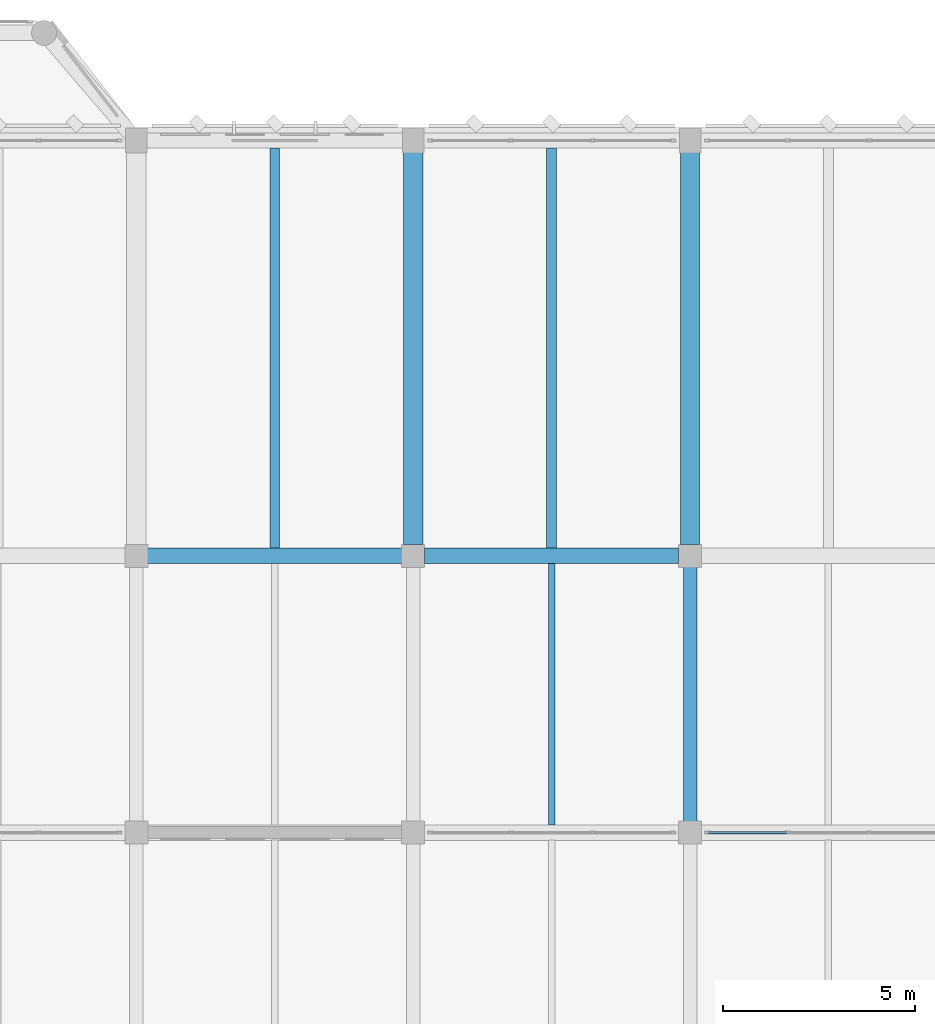
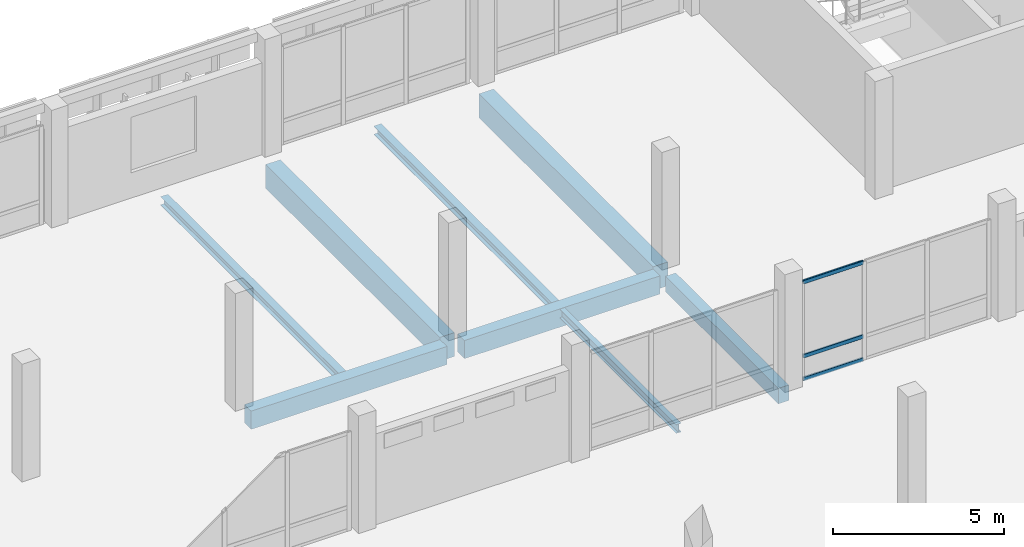
# One storey, part 111 of 158: 8 beams, 3 members, 1 element without a shape of its own.
"""IFC4 building model written with IfcOpenShell, lengths in metres."""

from ifc_helpers import new_model, si_unit, direction, frame, origin, origin_2d, place, context, subcontext, project, spatial, rectangle, hollow_rectangle, i_section, extrude, material, material_profile, profile_set, type_object, element, aggregate, save


model = new_model("IFC4")

# Units and contexts
model_context = context("Model", 3, precision=1e-05, world=origin(), true_north=direction((0.0, 1.0)))
body_context = subcontext(model_context, "Body", "Model", "MODEL_VIEW")
ifc_project = project(units=[si_unit("LENGTHUNIT", "METRE"), si_unit("AREAUNIT", "SQUARE_METRE"), si_unit("VOLUMEUNIT", "CUBIC_METRE"), si_unit("PLANEANGLEUNIT", "RADIAN"), si_unit("MASSUNIT", "GRAM", prefix="KILO")], contexts=[model_context])

# Site, building, storey
site_placement = place(None, origin())
site = spatial("IfcSite", under=ifc_project, at=site_placement, CompositionType="ELEMENT")
building_placement = place(site_placement, origin())
building = spatial("IfcBuilding", under=site, at=building_placement, Name="Lusvemor Sports Hall", CompositionType="ELEMENT")
storey_placement = place(building_placement, frame((0.0, 0.0, 10.800048828125)))
storey = spatial("IfcBuildingStorey", under=building, at=storey_placement, Name="L02", CompositionType="ELEMENT", Elevation=10.800048828125)

# Beams
ifc_material_1 = material(Name="Concrete C40/50", Category="concrete")
ifc_material_profile_1 = material_profile(ifc_material_1, rectangle(XDim=0.35009765625, YDim=0.550048828125, at=origin_2d()), Name="RC350x550")
ifc_profile_set_1 = profile_set([ifc_material_profile_1], Name="Concrete C40/50")
beam_type_1 = type_object("IfcBeamType", Name="BEAM_RC_550", PredefinedType="BEAM", material=ifc_profile_set_1)
beam_1_placement = place(storey_placement, frame((154.800048828125, 97.49609375, -0.53515625), z_axis=(0.0, 1.0, 0.0), x_axis=(-1.0, 0.0, 0.0)))
element("IfcBeam", 1, at=beam_1_placement, inside=storey, type_object=beam_type_1, Name="Beam L02 18:N-P", PredefinedType="BEAM", context=body_context, shape_type="SweptSolid", body=[
    extrude(rectangle(XDim=0.35009765625, YDim=0.550048828125, at=origin_2d()), origin(), (0.0, 0.0, 1.0), 6.60791015625),
])
ifc_material_2 = material(Name="Concrete C40/50", Category="concrete")
ifc_material_profile_2 = material_profile(ifc_material_2, rectangle(XDim=0.39990234375, YDim=0.64990234375, at=origin_2d()), Name="RC400x650")
ifc_profile_set_2 = profile_set([ifc_material_profile_2], Name="Concrete C40/50")
beam_type_2 = type_object("IfcBeamType", Name="BEAM_RC_650", PredefinedType="BEAM", material=ifc_profile_set_2)
for number, where, z_axis, x_axis, name in (
    (2, (140.696044921875, 104.39990234375, -0.5849609375), (1.0, 0.0, 0.0), (0.0, 1.0, 0.0), "Beam L02 P:16-17"),
    (3, (147.89599609375, 104.39990234375, -0.5849609375), (1.0, 0.0, 0.0), (0.0, 1.0, 0.0), "Beam L02 P:17-18"),
):
    element("IfcBeam", number, at=place(storey_placement, frame(where, z_axis=z_axis, x_axis=x_axis)), inside=storey, type_object=beam_type_2, Name=name, PredefinedType="BEAM", context=body_context, shape_type="SweptSolid", body=[
        extrude(rectangle(XDim=0.39990234375, YDim=0.64990234375, at=origin_2d()), origin(), (0.0, 0.0, 1.0), 6.60791015625),
    ])

# Curtain wall, members
ifc_material_3 = material(Name="Thermally broken bronze-anodized aluminium", Category="aluminium")
curtain_wall_type = type_object("IfcCurtainWallType", Name="CW_WING_B", PredefinedType="NOTDEFINED", material=ifc_material_3)
curtain_wall_placement = place(storey_placement, origin())
curtain_wall = element("IfcCurtainWall", 4, at=curtain_wall_placement, inside=storey, type_object=curtain_wall_type, Name="Curtain Wall CW-L02-S-3-15", PredefinedType="NOTDEFINED")
ifc_material_4 = material(Name="Thermally broken bronze-anodized aluminium", Category="aluminium")
ifc_material_profile_3 = material_profile(ifc_material_4, hollow_rectangle(XDim=0.06005859375, YDim=0.135009765625, WallThickness=0.00390625, InnerFilletRadius=0.00390625, OuterFilletRadius=0.008056640625, at=origin_2d()), Name="CWTRN135x60x4")
ifc_profile_set_3 = profile_set([ifc_material_profile_3], Name="Thermally broken bronze-anodized aluminium")
member_type = type_object("IfcMemberType", Name="CW_TRN_B", PredefinedType="USERDEFINED", material=ifc_profile_set_3)
member_1_placement = place(storey_placement, frame((157.3076171875, 97.199951171875, 0.030029296875), z_axis=(-1.0, 0.0, 0.0), x_axis=(0.0, -1.0, 0.0)))
member_1 = element("IfcMember", 5, at=member_1_placement, type_object=member_type, Name="CW02 transom 3.1", ObjectType="TRANSOM", PredefinedType="USERDEFINED", context=body_context, shape_type="SweptSolid", body=[
    extrude(hollow_rectangle(XDim=0.06005859375, YDim=0.135009765625, WallThickness=0.00390625, InnerFilletRadius=0.00390625, OuterFilletRadius=0.008056640625, at=origin_2d()), origin(), (0.0, 0.0, 1.0), 2.022705078125),
])
member_2_placement = place(storey_placement, frame((157.3076171875, 97.199951171875, 0.849853515625), z_axis=(-1.0, 0.0, 0.0), x_axis=(0.0, -1.0, 0.0)))
member_2 = element("IfcMember", 6, at=member_2_placement, type_object=member_type, Name="CW02 transom 3.2", ObjectType="TRANSOM", PredefinedType="USERDEFINED", context=body_context, shape_type="SweptSolid", body=[
    extrude(hollow_rectangle(XDim=0.06005859375, YDim=0.135009765625, WallThickness=0.00390625, InnerFilletRadius=0.00390625, OuterFilletRadius=0.008056640625, at=origin_2d()), origin(), (0.0, 0.0, 1.0), 2.022705078125),
])
member_3_placement = place(storey_placement, frame((157.3076171875, 97.199951171875, 3.489990234375), z_axis=(-1.0, 0.0, 0.0), x_axis=(0.0, -1.0, 0.0)))
member_3 = element("IfcMember", 7, at=member_3_placement, type_object=member_type, Name="CW02 transom 3.3", ObjectType="TRANSOM", PredefinedType="USERDEFINED", context=body_context, shape_type="SweptSolid", body=[
    extrude(hollow_rectangle(XDim=0.06005859375, YDim=0.135009765625, WallThickness=0.00390625, InnerFilletRadius=0.00390625, OuterFilletRadius=0.008056640625, at=origin_2d()), origin(), (0.0, 0.0, 1.0), 2.022705078125),
])
aggregate(curtain_wall, [member_1, member_2, member_3])

# Beams
ifc_material_5 = material(Name="Concrete C40/50", Category="concrete")
ifc_material_profile_4 = material_profile(ifc_material_5, rectangle(XDim=0.5, YDim=0.85009765625, at=origin_2d()), Name="RC500x850")
ifc_profile_set_4 = profile_set([ifc_material_profile_4], Name="Concrete C40/50")
beam_type_3 = type_object("IfcBeamType", Name="GIRD_RC_850", PredefinedType="T_BEAM", material=ifc_profile_set_4)
for number, where, z_axis, x_axis, name in (
    (8, (147.60009765625, 104.696044921875, -0.68505859375), (0.0, 1.0, 0.0), (-1.0, 0.0, 0.0), "Beam L02 17:P-Q"),
    (9, (154.800048828125, 104.696044921875, -0.68505859375), (0.0, 1.0, 0.0), (-1.0, 0.0, 0.0), "Beam L02 18:P-Q"),
):
    element("IfcBeam", number, at=place(storey_placement, frame(where, z_axis=z_axis, x_axis=x_axis)), inside=storey, type_object=beam_type_3, Name=name, PredefinedType="T_BEAM", context=body_context, shape_type="SweptSolid", body=[
        extrude(rectangle(XDim=0.5, YDim=0.85009765625, at=origin_2d()), origin(), (0.0, 0.0, 1.0), 10.18798828125),
    ])
ifc_material_6 = material(Name="Steel S355", Category="steel")
ifc_material_profile_5 = material_profile(ifc_material_6, i_section(OverallWidth=0.25390625, OverallDepth=0.305908203125, WebThickness=0.0087890625, FlangeThickness=0.0146484375, FilletRadius=0.014892578125, at=origin_2d()), Name="W310x79.0")
ifc_profile_set_5 = profile_set([ifc_material_profile_5], Name="Steel S355")
beam_type_4 = type_object("IfcBeamType", Name="JOIST_ST_310H", PredefinedType="JOIST", material=ifc_profile_set_5)
for number, where, z_axis, x_axis, name in (
    (10, (144.0, 104.595947265625, -0.4169921875), (0.0, 1.0, 0.0), (-1.0, 0.0, 0.0), "Secondary Joist L02 16-17/P-Q #1"),
    (11, (151.199951171875, 104.595947265625, -0.4169921875), (0.0, 1.0, 0.0), (-1.0, 0.0, 0.0), "Secondary Joist L02 17-18/P-Q #1"),
):
    element("IfcBeam", number, at=place(storey_placement, frame(where, z_axis=z_axis, x_axis=x_axis)), inside=storey, type_object=beam_type_4, Name=name, PredefinedType="JOIST", context=body_context, shape_type="SweptSolid", body=[
        extrude(i_section(OverallWidth=0.25390625, OverallDepth=0.305908203125, WebThickness=0.0087890625, FlangeThickness=0.0146484375, FilletRadius=0.014892578125, at=origin_2d()), origin(), (0.0, 0.0, 1.0), 10.407958984375),
    ])
ifc_material_7 = material(Name="Steel S355", Category="steel")
ifc_material_profile_6 = material_profile(ifc_material_7, i_section(OverallWidth=0.1669921875, OverallDepth=0.31689453125, WebThickness=0.007568359375, FlangeThickness=0.01318359375, FilletRadius=0.014892578125, at=origin_2d()), Name="W310x52.0")
ifc_profile_set_6 = profile_set([ifc_material_profile_6], Name="Steel S355")
beam_type_5 = type_object("IfcBeamType", Name="JOIST_ST_310M", PredefinedType="JOIST", material=ifc_profile_set_6)
beam_2_placement = place(storey_placement, frame((151.199951171875, 97.39599609375, -0.422607421875), z_axis=(0.0, 1.0, 0.0), x_axis=(-1.0, 0.0, 0.0)))
element("IfcBeam", 12, at=beam_2_placement, inside=storey, type_object=beam_type_5, Name="Secondary Joist L02 17-18/N-P #1", PredefinedType="JOIST", context=body_context, shape_type="SweptSolid", body=[
    extrude(i_section(OverallWidth=0.1669921875, OverallDepth=0.31689453125, WebThickness=0.007568359375, FlangeThickness=0.01318359375, FilletRadius=0.014892578125, at=origin_2d()), origin(), (0.0, 0.0, 1.0), 6.80810546875),
])

save(model, "model.ifc")
